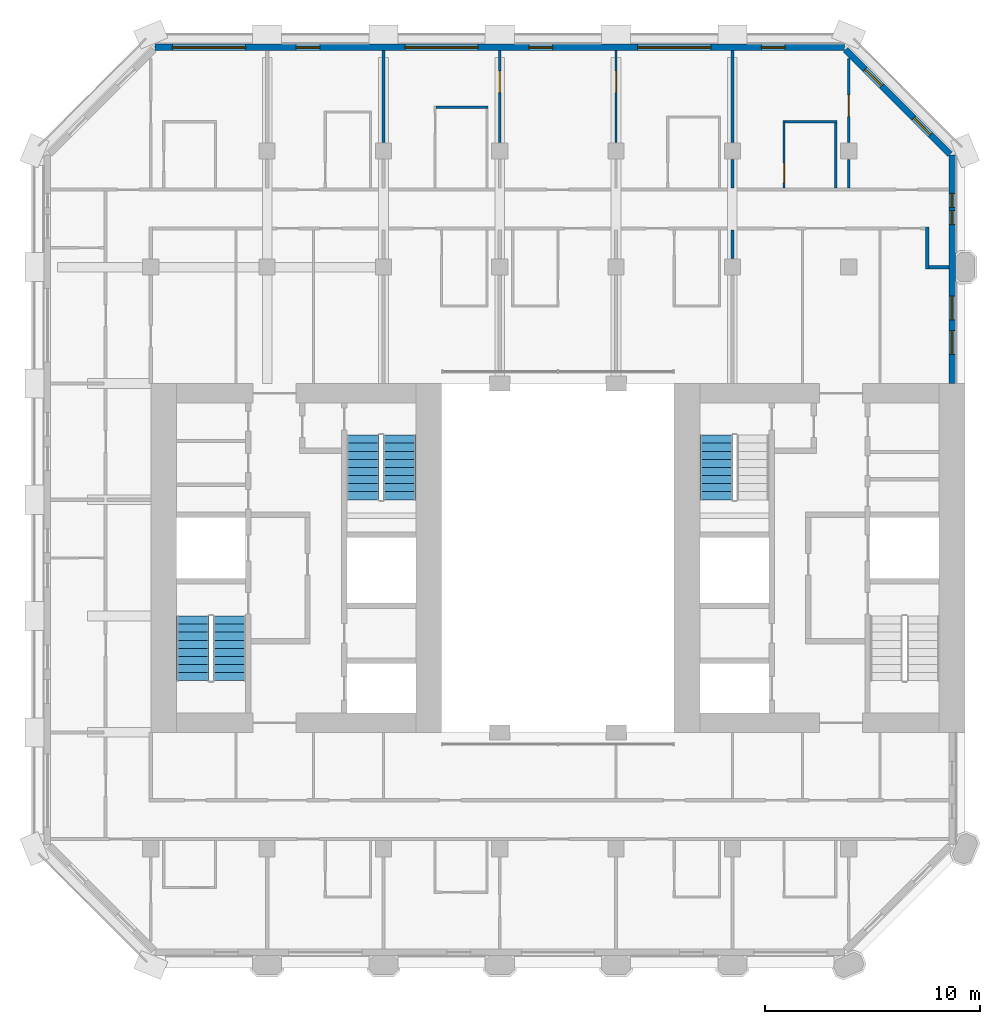
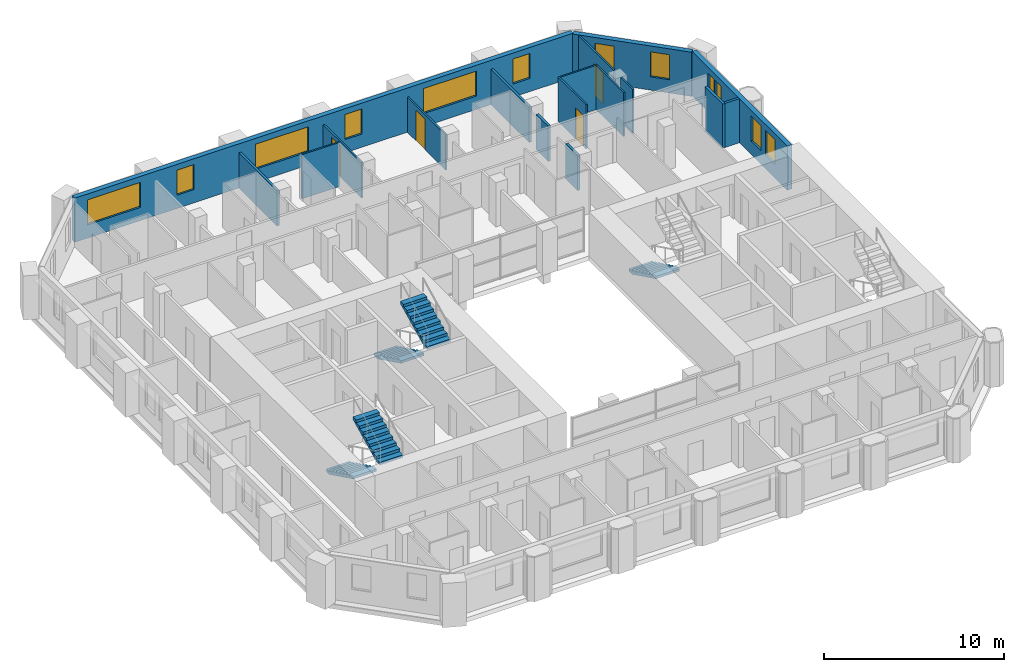
# One storey, part 11 of 14: 17 walls, 12 windows, 5 stair flights, 4 doors, 16 openings, 3 elements without a shape of their own.
"""IFC4 building model written with IfcOpenShell, lengths in metres."""

from ifc_helpers import new_model, si_unit, direction, frame, frame_2d, origin, place, context, subcontext, project, spatial, polyline, rectangle, outline, extrude, material, layer, layer_set, type_object, element, fill, aggregate, save


model = new_model("IFC4")

# Units and contexts
model_context = context("Model", 3, precision=1e-05, world=origin(), true_north=direction((0.0, 1.0)))
body_context = subcontext(model_context, "Body", "Model", "MODEL_VIEW")
ifc_project = project(units=[si_unit("LENGTHUNIT", "METRE"), si_unit("AREAUNIT", "SQUARE_METRE"), si_unit("VOLUMEUNIT", "CUBIC_METRE"), si_unit("PLANEANGLEUNIT", "RADIAN"), si_unit("MASSUNIT", "GRAM", prefix="KILO")], contexts=[model_context])

# Site, building, storey
site_placement = place(None, origin())
site = spatial("IfcSite", under=ifc_project, at=site_placement, CompositionType="ELEMENT")
building_placement = place(site_placement, origin())
building = spatial("IfcBuilding", under=site, at=building_placement, Name="Tabaq Tower and Sports Hall", CompositionType="ELEMENT")
storey_placement = place(building_placement, frame((0.0, 0.0, 217.0)))
storey = spatial("IfcBuildingStorey", under=building, at=storey_placement, Name="L54", CompositionType="ELEMENT", Elevation=217.0)

# Wall, opening, door
ifc_material_1 = material(Name="Gypsum board on steel studs", Category="steel")
ifc_layer_1 = layer(ifc_material_1, 0.10009765625)
ifc_layer_set_1 = layer_set([ifc_layer_1], Name="Partition 100 Gypsum board")
wall_type_1 = type_object("IfcWallType", Name="Partition 100 Gypsum board", PredefinedType="PARTITIONING", material=ifc_layer_set_1)
wall_1_placement = place(storey_placement, frame((34.800048828125, 41.47509765625, 0.0), z_axis=(0.0, 0.0, 1.0), x_axis=(0.0, 1.0, 0.0)))
wall_1 = element("IfcWall", 1, at=wall_1_placement, inside=storey, type_object=wall_type_1, Name="Partition wall L54", PredefinedType="PARTITIONING", context=body_context, shape_type="SweptSolid", body=[
    extrude(rectangle(XDim=3.125, YDim=0.10009765625, at=frame_2d((1.5625, 0.0))), origin(), (0.0, 0.0, 1.0), 3.0),
])
opening_1_placement = place(wall_1_placement, frame((0.25, 0.0, 0.0)))
opening_1 = element("IfcOpeningElement", 2, at=opening_1_placement, cuts=wall_1, Name="Opening L54-005", PredefinedType="OPENING", context=body_context, shape_type="SweptSolid", body=[
    extrude(rectangle(XDim=0.89990234375, YDim=2.10009765625, at=frame_2d((0.449951171875, 1.050048828125))), frame((0.0, 0.050048828125, 0.0), z_axis=(0.0, -1.0, 0.0), x_axis=(1.0, 0.0, 0.0)), (0.0, 0.0, 1.0), 0.10009765625),
])
ifc_material_2 = material(Name="Timber leaf in steel frame", Category="steel")
door_type_1 = type_object("IfcDoorType", Name="Internal door 900 right hand", OperationType="SINGLE_SWING_RIGHT", PredefinedType="DOOR", material=ifc_material_2)
door_1_placement = place(opening_1_placement, origin())
door_1 = element("IfcDoor", 3, at=door_1_placement, inside=storey, type_object=door_type_1, Name="Internal door L54-005", OperationType="SINGLE_SWING_RIGHT", OverallHeight=2.10009765625, OverallWidth=0.89990234375, PredefinedType="DOOR", context=body_context, shape_type="SweptSolid", body=[
    extrude(rectangle(XDim=0.89990234375, YDim=2.10009765625, at=frame_2d((0.449951171875, 1.050048828125))), frame((0.0, 0.02490234375, 0.0), z_axis=(0.0, -1.0, 0.0), x_axis=(1.0, 0.0, 0.0)), (0.0, 0.0, 1.0), 0.050048828125),
])
fill(opening_1, door_1)

# Walls
wall_2_placement = place(storey_placement, frame((34.85009765625, 44.550048828125, 0.0), z_axis=(0.0, 0.0, 1.0), x_axis=(1.0, 0.0, 0.0)))
element("IfcWall", 4, at=wall_2_placement, inside=storey, type_object=wall_type_1, Name="Partition wall L54", PredefinedType="PARTITIONING", context=body_context, shape_type="SweptSolid", body=[
    extrude(rectangle(XDim=2.39990234375, YDim=0.10009765625, at=frame_2d((1.199951171875, 0.0))), origin(), (0.0, 0.0, 1.0), 3.0),
])
wall_3_placement = place(storey_placement, frame((37.199951171875, 44.5, 0.0), z_axis=(0.0, 0.0, 1.0), x_axis=(0.0, -1.0, 0.0)))
element("IfcWall", 5, at=wall_3_placement, inside=storey, type_object=wall_type_1, Name="Partition wall L54", PredefinedType="PARTITIONING", context=body_context, shape_type="SweptSolid", body=[
    extrude(rectangle(XDim=3.02490234375, YDim=0.10009765625, at=frame_2d((1.512451171875, 0.0))), origin(), (0.0, 0.0, 1.0), 3.0),
])
wall_4_placement = place(storey_placement, frame((37.800048828125, 41.47509765625, 0.0), z_axis=(0.0, 0.0, 1.0), x_axis=(0.0, 1.0, 0.0)))
element("IfcWall", 6, at=wall_4_placement, inside=storey, type_object=wall_type_1, Name="Partition wall L54", PredefinedType="PARTITIONING", context=body_context, shape_type="SweptSolid", body=[
    extrude(rectangle(XDim=1.329833984375, YDim=0.10009765625, at=frame_2d((0.6650390625, 0.0))), origin(), (0.0, 0.0, 1.0), 3.0),
])

# Wall, opening, door
wall_5_placement = place(storey_placement, frame((37.800048828125, 43.594970703125, 0.0), z_axis=(0.0, 0.0, 1.0), x_axis=(0.0, 1.0, 0.0)))
wall_5 = element("IfcWall", 7, at=wall_5_placement, inside=storey, type_object=wall_type_1, Name="Partition wall L54", PredefinedType="PARTITIONING", context=body_context, shape_type="SweptSolid", body=[
    extrude(rectangle(XDim=3.892822265625, YDim=0.10009765625, at=frame_2d((1.9462890625, 0.0))), origin(), (0.0, 0.0, 1.0), 3.0),
])
opening_2_placement = place(wall_5_placement, frame((1.205078125, 0.0, 0.0)))
opening_2 = element("IfcOpeningElement", 8, at=opening_2_placement, cuts=wall_5, Name="Opening L54-032", PredefinedType="OPENING", context=body_context, shape_type="SweptSolid", body=[
    extrude(rectangle(XDim=1.0, YDim=2.10009765625, at=frame_2d((0.5, 1.050048828125))), frame((0.0, 0.050048828125, 0.0), z_axis=(0.0, -1.0, 0.0), x_axis=(1.0, 0.0, 0.0)), (0.0, 0.0, 1.0), 0.10009765625),
])
ifc_material_3 = material(Name="Timber leaf in steel frame", Category="steel")
door_type_2 = type_object("IfcDoorType", Name="Internal door 1000 right hand", OperationType="SINGLE_SWING_RIGHT", PredefinedType="DOOR", material=ifc_material_3)
door_2_placement = place(opening_2_placement, origin())
door_2 = element("IfcDoor", 9, at=door_2_placement, inside=storey, type_object=door_type_2, Name="Internal door L54-032", OperationType="SINGLE_SWING_RIGHT", OverallHeight=2.10009765625, OverallWidth=1.0, PredefinedType="DOOR", context=body_context, shape_type="SweptSolid", body=[
    extrude(rectangle(XDim=1.0, YDim=2.10009765625, at=frame_2d((0.5, 1.050048828125))), frame((0.0, 0.02490234375, 0.0), z_axis=(0.0, -1.0, 0.0), x_axis=(1.0, 0.0, 0.0)), (0.0, 0.0, 1.0), 0.050048828125),
])
fill(opening_2, door_2)

wall_6_placement = place(storey_placement, frame((27.0, 47.84912109375, 0.0), z_axis=(0.0, 0.0, 1.0), x_axis=(0.0, -1.0, 0.0)))
wall_6 = element("IfcWall", 10, at=wall_6_placement, inside=storey, type_object=wall_type_1, Name="Partition wall L54", PredefinedType="PARTITIONING", context=body_context, shape_type="SweptSolid", body=[
    extrude(rectangle(XDim=4.254150390625, YDim=0.10009765625, at=frame_2d((2.126953125, 0.0))), origin(), (0.0, 0.0, 1.0), 2.39990234375),
])
opening_3_placement = place(wall_6_placement, frame((0.948974609375, 0.0, 0.0)))
opening_3 = element("IfcOpeningElement", 11, at=opening_3_placement, cuts=wall_6, Name="Opening L54-034", PredefinedType="OPENING", context=body_context, shape_type="SweptSolid", body=[
    extrude(rectangle(XDim=1.0, YDim=2.10009765625, at=frame_2d((0.5, 1.050048828125))), frame((0.0, 0.050048828125, 0.0), z_axis=(0.0, -1.0, 0.0), x_axis=(1.0, 0.0, 0.0)), (0.0, 0.0, 1.0), 0.10009765625),
])
door_3_placement = place(opening_3_placement, origin())
door_3 = element("IfcDoor", 12, at=door_3_placement, inside=storey, type_object=door_type_2, Name="Internal door L54-034", OperationType="SINGLE_SWING_RIGHT", OverallHeight=2.10009765625, OverallWidth=1.0, PredefinedType="DOOR", context=body_context, shape_type="SweptSolid", body=[
    extrude(rectangle(XDim=1.0, YDim=2.10009765625, at=frame_2d((0.5, 1.050048828125))), frame((0.0, 0.02490234375, 0.0), z_axis=(0.0, -1.0, 0.0), x_axis=(1.0, 0.0, 0.0)), (0.0, 0.0, 1.0), 0.050048828125),
])
fill(opening_3, door_3)

# Wall
wall_7_placement = place(storey_placement, frame((18.64990234375, 45.22509765625, 0.0), z_axis=(0.0, 0.0, 1.0), x_axis=(1.0, 0.0, 0.0)))
element("IfcWall", 13, at=wall_7_placement, inside=storey, type_object=wall_type_1, Name="Partition wall L54", PredefinedType="PARTITIONING", context=body_context, shape_type="SweptSolid", body=[
    extrude(rectangle(XDim=2.400146484375, YDim=0.10009765625, at=frame_2d((1.2001953125, 0.0))), origin(), (0.0, 0.0, 1.0), 3.0),
])

# Wall, opening, door
wall_8_placement = place(storey_placement, frame((21.60009765625, 43.594970703125, 0.0), z_axis=(0.0, 0.0, 1.0), x_axis=(0.0, 1.0, 0.0)))
wall_8 = element("IfcWall", 14, at=wall_8_placement, inside=storey, type_object=wall_type_1, Name="Partition wall L54", PredefinedType="PARTITIONING", context=body_context, shape_type="SweptSolid", body=[
    extrude(rectangle(XDim=4.254150390625, YDim=0.10009765625, at=frame_2d((2.126953125, 0.0))), origin(), (0.0, 0.0, 1.0), 2.39990234375),
])
opening_4_placement = place(wall_8_placement, frame((2.304931640625, 0.0, 0.0)))
opening_4 = element("IfcOpeningElement", 15, at=opening_4_placement, cuts=wall_8, Name="Opening L54-035", PredefinedType="OPENING", context=body_context, shape_type="SweptSolid", body=[
    extrude(rectangle(XDim=1.0, YDim=2.10009765625, at=frame_2d((0.5, 1.050048828125))), frame((0.0, 0.050048828125, 0.0), z_axis=(0.0, -1.0, 0.0), x_axis=(1.0, 0.0, 0.0)), (0.0, 0.0, 1.0), 0.10009765625),
])
door_4_placement = place(opening_4_placement, origin())
door_4 = element("IfcDoor", 16, at=door_4_placement, inside=storey, type_object=door_type_2, Name="Internal door L54-035", OperationType="SINGLE_SWING_RIGHT", OverallHeight=2.10009765625, OverallWidth=1.0, PredefinedType="DOOR", context=body_context, shape_type="SweptSolid", body=[
    extrude(rectangle(XDim=1.0, YDim=2.10009765625, at=frame_2d((0.5, 1.050048828125))), frame((0.0, 0.02490234375, 0.0), z_axis=(0.0, -1.0, 0.0), x_axis=(1.0, 0.0, 0.0)), (0.0, 0.0, 1.0), 0.050048828125),
])
fill(opening_4, door_4)

# Walls
ifc_material_4 = material(Name="Blockwork", Category="masonry")
ifc_layer_2 = layer(ifc_material_4, 0.14990234375)
ifc_layer_set_2 = layer_set([ifc_layer_2], Name="Separating wall 150 Blockwork")
wall_type_2 = type_object("IfcWallType", Name="Separating wall 150 Blockwork", PredefinedType="PARTITIONING", material=ifc_layer_set_2)
wall_9_placement = place(storey_placement, frame((32.39990234375, 38.195068359375, 0.0), z_axis=(0.0, 0.0, 1.0), x_axis=(0.0, 1.0, 0.0)))
element("IfcWall", 17, at=wall_9_placement, inside=storey, type_object=wall_type_2, Name="Separating wall L54", PredefinedType="PARTITIONING", context=body_context, shape_type="SweptSolid", body=[
    extrude(rectangle(XDim=1.329833984375, YDim=0.14990234375, at=frame_2d((0.6650390625, 0.0))), origin(), (0.0, 0.0, 1.0), 2.39990234375),
])
wall_10_placement = place(storey_placement, frame((32.39990234375, 47.84912109375, 0.0), z_axis=(0.0, 0.0, 1.0), x_axis=(0.0, -1.0, 0.0)))
element("IfcWall", 18, at=wall_10_placement, inside=storey, type_object=wall_type_2, Name="Separating wall L54", PredefinedType="PARTITIONING", context=body_context, shape_type="SweptSolid", body=[
    extrude(rectangle(XDim=4.254150390625, YDim=0.14990234375, at=frame_2d((2.126953125, 0.0))), origin(), (0.0, 0.0, 1.0), 2.39990234375),
])
wall_11_placement = place(storey_placement, frame((32.39990234375, 42.804931640625, 0.0), z_axis=(0.0, 0.0, 1.0), x_axis=(0.0, -1.0, 0.0)))
element("IfcWall", 19, at=wall_11_placement, inside=storey, type_object=wall_type_2, Name="Separating wall L54", PredefinedType="PARTITIONING", context=body_context, shape_type="SweptSolid", body=[
    extrude(rectangle(XDim=1.329833984375, YDim=0.14990234375, at=frame_2d((0.6650390625, 0.0))), origin(), (0.0, 0.0, 1.0), 2.39990234375),
])
wall_12_placement = place(storey_placement, frame((16.199951171875, 47.84912109375, 0.0), z_axis=(0.0, 0.0, 1.0), x_axis=(0.0, -1.0, 0.0)))
element("IfcWall", 20, at=wall_12_placement, inside=storey, type_object=wall_type_2, Name="Separating wall L54", PredefinedType="PARTITIONING", context=body_context, shape_type="SweptSolid", body=[
    extrude(rectangle(XDim=4.254150390625, YDim=0.14990234375, at=frame_2d((2.126953125, 0.0))), origin(), (0.0, 0.0, 1.0), 2.39990234375),
])
wall_13_placement = place(storey_placement, frame((41.448974609375, 39.675048828125, 0.0), z_axis=(0.0, 0.0, 1.0), x_axis=(0.00050081376, -0.999999874593, 0.0)))
element("IfcWall", 21, at=wall_13_placement, inside=storey, type_object=wall_type_2, Name="Separating wall L54", PredefinedType="PARTITIONING", context=body_context, shape_type="SweptSolid", body=[
    extrude(rectangle(XDim=1.949951171875, YDim=0.14990234375, at=frame_2d((0.97509765625, 0.0))), origin(), (0.0, 0.0, 1.0), 3.0),
])
wall_14_placement = place(storey_placement, frame((41.52490234375, 37.800048828125, 0.0), z_axis=(0.0, 0.0, 1.0), x_axis=(1.0, 0.0, 0.0)))
element("IfcWall", 22, at=wall_14_placement, inside=storey, type_object=wall_type_2, Name="Separating wall L54", PredefinedType="PARTITIONING", context=body_context, shape_type="SweptSolid", body=[
    extrude(rectangle(XDim=0.925048828125, YDim=0.14990234375, at=frame_2d((0.46240234375, 0.0))), origin(), (0.0, 0.0, 1.0), 3.0),
])

# Wall, openings, windows
ifc_material_5 = material(Name="White precast concrete C60/75", Category="concrete")
ifc_layer_3 = layer(ifc_material_5, 0.300048828125)
ifc_layer_set_3 = layer_set([ifc_layer_3], Name="White precast concrete C60/75 external wall 300")
wall_type_3 = type_object("IfcWallType", Name="White precast concrete C60/75 external wall 300", PredefinedType="SOLIDWALL", material=ifc_layer_set_3)
wall_15_placement = place(storey_placement, frame((42.60009765625, 32.39990234375, 0.0), z_axis=(0.0, 0.0, 1.0), x_axis=(0.0, 1.0, 0.0)))
wall_15 = element("IfcWall", 23, at=wall_15_placement, inside=storey, type_object=wall_type_3, Name="External Wall L54 E", PredefinedType="SOLIDWALL", context=body_context, shape_type="SweptSolid", body=[
    extrude(rectangle(XDim=10.61376953125, YDim=0.300048828125, at=frame_2d((5.306884765625, 0.0))), origin(), (0.0, 0.0, 1.0), 3.0),
])
opening_5_placement = place(wall_15_placement, frame((1.35009765625, 0.0, 0.89990234375)))
opening_5 = element("IfcOpeningElement", 24, at=opening_5_placement, cuts=wall_15, Name="Opening W1B", PredefinedType="OPENING", context=body_context, shape_type="SweptSolid", body=[
    extrude(rectangle(XDim=1.10009765625, YDim=1.699951171875, at=frame_2d((0.550048828125, 0.85009765625))), frame((0.0, 0.16015625, 0.0), z_axis=(0.0, -1.0, 0.0), x_axis=(1.0, 0.0, 0.0)), (0.0, 0.0, 1.0), 0.320068359375),
])
opening_6_placement = place(wall_15_placement, frame((2.949951171875, 0.0, 0.89990234375)))
opening_6 = element("IfcOpeningElement", 25, at=opening_6_placement, cuts=wall_15, Name="Opening W1B", PredefinedType="OPENING", context=body_context, shape_type="SweptSolid", body=[
    extrude(rectangle(XDim=1.10009765625, YDim=1.699951171875, at=frame_2d((0.550048828125, 0.85009765625))), frame((0.0, 0.16015625, 0.0), z_axis=(0.0, -1.0, 0.0), x_axis=(1.0, 0.0, 0.0)), (0.0, 0.0, 1.0), 0.320068359375),
])
opening_7_placement = place(wall_15_placement, frame((7.375, 0.0, 0.89990234375)))
opening_7 = element("IfcOpeningElement", 26, at=opening_7_placement, cuts=wall_15, Name="Opening W1C", PredefinedType="OPENING", context=body_context, shape_type="SweptSolid", body=[
    extrude(rectangle(XDim=0.64990234375, YDim=1.699951171875, at=frame_2d((0.324951171875, 0.85009765625))), frame((0.0, 0.16015625, 0.0), z_axis=(0.0, -1.0, 0.0), x_axis=(1.0, 0.0, 0.0)), (0.0, 0.0, 1.0), 0.320068359375),
])
opening_8_placement = place(wall_15_placement, frame((8.175048828125, 0.0, 0.89990234375)))
opening_8 = element("IfcOpeningElement", 27, at=opening_8_placement, cuts=wall_15, Name="Opening W1C", PredefinedType="OPENING", context=body_context, shape_type="SweptSolid", body=[
    extrude(rectangle(XDim=0.64990234375, YDim=1.699951171875, at=frame_2d((0.324951171875, 0.85009765625))), frame((0.0, 0.16015625, 0.0), z_axis=(0.0, -1.0, 0.0), x_axis=(1.0, 0.0, 0.0)), (0.0, 0.0, 1.0), 0.320068359375),
])
ifc_material_6 = material(Name="Aluminium framed clear glazing", Category="aluminium")
window_type_1 = type_object("IfcWindowType", Name="Window W1B", PartitioningType="SINGLE_PANEL", PredefinedType="WINDOW", material=ifc_material_6)
window_1_placement = place(opening_5_placement, origin())
window_1 = element("IfcWindow", 28, at=window_1_placement, inside=storey, type_object=window_type_1, Name="Window W1B L54", OverallHeight=1.699951171875, OverallWidth=1.10009765625, PartitioningType="SINGLE_PANEL", PredefinedType="WINDOW", context=body_context, shape_type="SweptSolid", body=[
    extrude(rectangle(XDim=1.10009765625, YDim=1.699951171875, at=frame_2d((0.550048828125, 0.85009765625))), frame((0.0, 0.030029296875, 0.0), z_axis=(0.0, -1.0, 0.0), x_axis=(1.0, 0.0, 0.0)), (0.0, 0.0, 1.0), 0.06005859375),
])
fill(opening_5, window_1)
window_2_placement = place(opening_6_placement, origin())
window_2 = element("IfcWindow", 29, at=window_2_placement, inside=storey, type_object=window_type_1, Name="Window W1B L54", OverallHeight=1.699951171875, OverallWidth=1.10009765625, PartitioningType="SINGLE_PANEL", PredefinedType="WINDOW", context=body_context, shape_type="SweptSolid", body=[
    extrude(rectangle(XDim=1.10009765625, YDim=1.699951171875, at=frame_2d((0.550048828125, 0.85009765625))), frame((0.0, 0.030029296875, 0.0), z_axis=(0.0, -1.0, 0.0), x_axis=(1.0, 0.0, 0.0)), (0.0, 0.0, 1.0), 0.06005859375),
])
fill(opening_6, window_2)
ifc_material_7 = material(Name="Aluminium framed clear glazing", Category="aluminium")
window_type_2 = type_object("IfcWindowType", Name="Window W1C", PartitioningType="SINGLE_PANEL", PredefinedType="WINDOW", material=ifc_material_7)
window_3_placement = place(opening_7_placement, origin())
window_3 = element("IfcWindow", 30, at=window_3_placement, inside=storey, type_object=window_type_2, Name="Window W1C L54", OverallHeight=1.699951171875, OverallWidth=0.64990234375, PartitioningType="SINGLE_PANEL", PredefinedType="WINDOW", context=body_context, shape_type="SweptSolid", body=[
    extrude(rectangle(XDim=0.64990234375, YDim=1.699951171875, at=frame_2d((0.324951171875, 0.85009765625))), frame((0.0, 0.030029296875, 0.0), z_axis=(0.0, -1.0, 0.0), x_axis=(1.0, 0.0, 0.0)), (0.0, 0.0, 1.0), 0.06005859375),
])
fill(opening_7, window_3)
window_4_placement = place(opening_8_placement, origin())
window_4 = element("IfcWindow", 31, at=window_4_placement, inside=storey, type_object=window_type_2, Name="Window W1C L54", OverallHeight=1.699951171875, OverallWidth=0.64990234375, PartitioningType="SINGLE_PANEL", PredefinedType="WINDOW", context=body_context, shape_type="SweptSolid", body=[
    extrude(rectangle(XDim=0.64990234375, YDim=1.699951171875, at=frame_2d((0.324951171875, 0.85009765625))), frame((0.0, 0.030029296875, 0.0), z_axis=(0.0, -1.0, 0.0), x_axis=(1.0, 0.0, 0.0)), (0.0, 0.0, 1.0), 0.06005859375),
])
fill(opening_8, window_4)

wall_16_placement = place(storey_placement, frame((42.5009765625, 43.050537109375, 0.0), z_axis=(0.0, 0.0, 1.0), x_axis=(-0.707106781187, 0.707106781187, 0.0)))
wall_16 = element("IfcWall", 32, at=wall_16_placement, inside=storey, type_object=wall_type_3, Name="External Wall L54 NE", PredefinedType="SOLIDWALL", context=body_context, shape_type="SweptSolid", body=[
    extrude(rectangle(XDim=6.85986328125, YDim=0.300048828125, at=frame_2d((3.429931640625, 0.0))), origin(), (0.0, 0.0, 1.0), 3.0),
])
opening_9_placement = place(wall_16_placement, frame((1.27978515625, 0.0, 0.89990234375)))
opening_9 = element("IfcOpeningElement", 33, at=opening_9_placement, cuts=wall_16, Name="Opening W1B", PredefinedType="OPENING", context=body_context, shape_type="SweptSolid", body=[
    extrude(rectangle(XDim=1.10009765625, YDim=1.699951171875, at=frame_2d((0.550048828125, 0.85009765625))), frame((0.0, 0.16015625, 0.0), z_axis=(0.0, -1.0, 0.0), x_axis=(1.0, 0.0, 0.0)), (0.0, 0.0, 1.0), 0.320068359375),
])
opening_10_placement = place(wall_16_placement, frame((4.479736328125, 0.0, 0.89990234375)))
opening_10 = element("IfcOpeningElement", 34, at=opening_10_placement, cuts=wall_16, Name="Opening W1B", PredefinedType="OPENING", context=body_context, shape_type="SweptSolid", body=[
    extrude(rectangle(XDim=1.10009765625, YDim=1.699951171875, at=frame_2d((0.550048828125, 0.85009765625))), frame((0.0, 0.16015625, 0.0), z_axis=(0.0, -1.0, 0.0), x_axis=(1.0, 0.0, 0.0)), (0.0, 0.0, 1.0), 0.320068359375),
])
window_5_placement = place(opening_9_placement, origin())
window_5 = element("IfcWindow", 35, at=window_5_placement, inside=storey, type_object=window_type_1, Name="Window W1B L54", OverallHeight=1.699951171875, OverallWidth=1.10009765625, PartitioningType="SINGLE_PANEL", PredefinedType="WINDOW", context=body_context, shape_type="SweptSolid", body=[
    extrude(rectangle(XDim=1.10009765625, YDim=1.699951171875, at=frame_2d((0.550048828125, 0.85009765625))), frame((0.0, 0.030029296875, 0.0), z_axis=(0.0, -1.0, 0.0), x_axis=(1.0, 0.0, 0.0)), (0.0, 0.0, 1.0), 0.06005859375),
])
fill(opening_9, window_5)
window_6_placement = place(opening_10_placement, origin())
window_6 = element("IfcWindow", 36, at=window_6_placement, inside=storey, type_object=window_type_1, Name="Window W1B L54", OverallHeight=1.699951171875, OverallWidth=1.10009765625, PartitioningType="SINGLE_PANEL", PredefinedType="WINDOW", context=body_context, shape_type="SweptSolid", body=[
    extrude(rectangle(XDim=1.10009765625, YDim=1.699951171875, at=frame_2d((0.550048828125, 0.85009765625))), frame((0.0, 0.030029296875, 0.0), z_axis=(0.0, -1.0, 0.0), x_axis=(1.0, 0.0, 0.0)), (0.0, 0.0, 1.0), 0.06005859375),
])
fill(opening_10, window_6)

wall_17_placement = place(storey_placement, frame((37.613525390625, 48.0, 0.0), z_axis=(0.0, 0.0, 1.0), x_axis=(-1.0, 0.0, 0.0)))
wall_17 = element("IfcWall", 37, at=wall_17_placement, inside=storey, type_object=wall_type_3, Name="External Wall L54 N", PredefinedType="SOLIDWALL", context=body_context, shape_type="SweptSolid", body=[
    extrude(rectangle(XDim=32.027099609375, YDim=0.300048828125, at=frame_2d((16.013671875, 0.0))), origin(), (0.0, 0.0, 1.0), 3.0),
])
opening_11_placement = place(wall_17_placement, frame((2.763671875, 0.0, 0.89990234375)))
opening_11 = element("IfcOpeningElement", 38, at=opening_11_placement, cuts=wall_17, Name="Opening W1B", PredefinedType="OPENING", context=body_context, shape_type="SweptSolid", body=[
    extrude(rectangle(XDim=1.10009765625, YDim=1.699951171875, at=frame_2d((0.550048828125, 0.85009765625))), frame((0.0, 0.16015625, 0.0), z_axis=(0.0, -1.0, 0.0), x_axis=(1.0, 0.0, 0.0)), (0.0, 0.0, 1.0), 0.320068359375),
])
opening_12_placement = place(wall_17_placement, frame((6.213623046875, 0.0, 0.89990234375)))
opening_12 = element("IfcOpeningElement", 39, at=opening_12_placement, cuts=wall_17, Name="Opening W1A", PredefinedType="OPENING", context=body_context, shape_type="SweptSolid", body=[
    extrude(rectangle(XDim=3.39990234375, YDim=1.699951171875, at=frame_2d((1.699951171875, 0.85009765625))), frame((0.0, 0.16015625, 0.0), z_axis=(0.0, -1.0, 0.0), x_axis=(1.0, 0.0, 0.0)), (0.0, 0.0, 1.0), 0.320068359375),
])
opening_13_placement = place(wall_17_placement, frame((13.563720703125, 0.0, 0.89990234375)))
opening_13 = element("IfcOpeningElement", 40, at=opening_13_placement, cuts=wall_17, Name="Opening W1B", PredefinedType="OPENING", context=body_context, shape_type="SweptSolid", body=[
    extrude(rectangle(XDim=1.10009765625, YDim=1.699951171875, at=frame_2d((0.550048828125, 0.85009765625))), frame((0.0, 0.16015625, 0.0), z_axis=(0.0, -1.0, 0.0), x_axis=(1.0, 0.0, 0.0)), (0.0, 0.0, 1.0), 0.320068359375),
])
opening_14_placement = place(wall_17_placement, frame((17.013671875, 0.0, 0.89990234375)))
opening_14 = element("IfcOpeningElement", 41, at=opening_14_placement, cuts=wall_17, Name="Opening W1A", PredefinedType="OPENING", context=body_context, shape_type="SweptSolid", body=[
    extrude(rectangle(XDim=3.39990234375, YDim=1.699951171875, at=frame_2d((1.699951171875, 0.85009765625))), frame((0.0, 0.16015625, 0.0), z_axis=(0.0, -1.0, 0.0), x_axis=(1.0, 0.0, 0.0)), (0.0, 0.0, 1.0), 0.320068359375),
])
opening_15_placement = place(wall_17_placement, frame((24.363525390625, 0.0, 0.89990234375)))
opening_15 = element("IfcOpeningElement", 42, at=opening_15_placement, cuts=wall_17, Name="Opening W1B", PredefinedType="OPENING", context=body_context, shape_type="SweptSolid", body=[
    extrude(rectangle(XDim=1.10009765625, YDim=1.699951171875, at=frame_2d((0.550048828125, 0.85009765625))), frame((0.0, 0.16015625, 0.0), z_axis=(0.0, -1.0, 0.0), x_axis=(1.0, 0.0, 0.0)), (0.0, 0.0, 1.0), 0.320068359375),
])
opening_16_placement = place(wall_17_placement, frame((27.813720703125, 0.0, 0.89990234375)))
opening_16 = element("IfcOpeningElement", 43, at=opening_16_placement, cuts=wall_17, Name="Opening W1A", PredefinedType="OPENING", context=body_context, shape_type="SweptSolid", body=[
    extrude(rectangle(XDim=3.39990234375, YDim=1.699951171875, at=frame_2d((1.699951171875, 0.85009765625))), frame((0.0, 0.16015625, 0.0), z_axis=(0.0, -1.0, 0.0), x_axis=(1.0, 0.0, 0.0)), (0.0, 0.0, 1.0), 0.320068359375),
])
ifc_material_8 = material(Name="Aluminium framed clear glazing", Category="aluminium")
window_type_3 = type_object("IfcWindowType", Name="Window W1A", PartitioningType="SINGLE_PANEL", PredefinedType="WINDOW", material=ifc_material_8)
window_7_placement = place(opening_12_placement, origin())
window_7 = element("IfcWindow", 44, at=window_7_placement, inside=storey, type_object=window_type_3, Name="Window W1A L54", OverallHeight=1.699951171875, OverallWidth=3.39990234375, PartitioningType="SINGLE_PANEL", PredefinedType="WINDOW", context=body_context, shape_type="SweptSolid", body=[
    extrude(rectangle(XDim=3.39990234375, YDim=1.699951171875, at=frame_2d((1.699951171875, 0.85009765625))), frame((0.0, 0.030029296875, 0.0), z_axis=(0.0, -1.0, 0.0), x_axis=(1.0, 0.0, 0.0)), (0.0, 0.0, 1.0), 0.06005859375),
])
fill(opening_12, window_7)
window_8_placement = place(opening_14_placement, origin())
window_8 = element("IfcWindow", 45, at=window_8_placement, inside=storey, type_object=window_type_3, Name="Window W1A L54", OverallHeight=1.699951171875, OverallWidth=3.39990234375, PartitioningType="SINGLE_PANEL", PredefinedType="WINDOW", context=body_context, shape_type="SweptSolid", body=[
    extrude(rectangle(XDim=3.39990234375, YDim=1.699951171875, at=frame_2d((1.699951171875, 0.85009765625))), frame((0.0, 0.030029296875, 0.0), z_axis=(0.0, -1.0, 0.0), x_axis=(1.0, 0.0, 0.0)), (0.0, 0.0, 1.0), 0.06005859375),
])
fill(opening_14, window_8)
window_9_placement = place(opening_16_placement, origin())
window_9 = element("IfcWindow", 46, at=window_9_placement, inside=storey, type_object=window_type_3, Name="Window W1A L54", OverallHeight=1.699951171875, OverallWidth=3.39990234375, PartitioningType="SINGLE_PANEL", PredefinedType="WINDOW", context=body_context, shape_type="SweptSolid", body=[
    extrude(rectangle(XDim=3.39990234375, YDim=1.699951171875, at=frame_2d((1.699951171875, 0.85009765625))), frame((0.0, 0.030029296875, 0.0), z_axis=(0.0, -1.0, 0.0), x_axis=(1.0, 0.0, 0.0)), (0.0, 0.0, 1.0), 0.06005859375),
])
fill(opening_16, window_9)
window_10_placement = place(opening_11_placement, origin())
window_10 = element("IfcWindow", 47, at=window_10_placement, inside=storey, type_object=window_type_1, Name="Window W1B L54", OverallHeight=1.699951171875, OverallWidth=1.10009765625, PartitioningType="SINGLE_PANEL", PredefinedType="WINDOW", context=body_context, shape_type="SweptSolid", body=[
    extrude(rectangle(XDim=1.10009765625, YDim=1.699951171875, at=frame_2d((0.550048828125, 0.85009765625))), frame((0.0, 0.030029296875, 0.0), z_axis=(0.0, -1.0, 0.0), x_axis=(1.0, 0.0, 0.0)), (0.0, 0.0, 1.0), 0.06005859375),
])
fill(opening_11, window_10)
window_11_placement = place(opening_13_placement, origin())
window_11 = element("IfcWindow", 48, at=window_11_placement, inside=storey, type_object=window_type_1, Name="Window W1B L54", OverallHeight=1.699951171875, OverallWidth=1.10009765625, PartitioningType="SINGLE_PANEL", PredefinedType="WINDOW", context=body_context, shape_type="SweptSolid", body=[
    extrude(rectangle(XDim=1.10009765625, YDim=1.699951171875, at=frame_2d((0.550048828125, 0.85009765625))), frame((0.0, 0.030029296875, 0.0), z_axis=(0.0, -1.0, 0.0), x_axis=(1.0, 0.0, 0.0)), (0.0, 0.0, 1.0), 0.06005859375),
])
fill(opening_13, window_11)
window_12_placement = place(opening_15_placement, origin())
window_12 = element("IfcWindow", 49, at=window_12_placement, inside=storey, type_object=window_type_1, Name="Window W1B L54", OverallHeight=1.699951171875, OverallWidth=1.10009765625, PartitioningType="SINGLE_PANEL", PredefinedType="WINDOW", context=body_context, shape_type="SweptSolid", body=[
    extrude(rectangle(XDim=1.10009765625, YDim=1.699951171875, at=frame_2d((0.550048828125, 0.85009765625))), frame((0.0, 0.030029296875, 0.0), z_axis=(0.0, -1.0, 0.0), x_axis=(1.0, 0.0, 0.0)), (0.0, 0.0, 1.0), 0.06005859375),
])
fill(opening_15, window_12)

# Stair, stair flights
ifc_material_9 = material(Name="Concrete C40/50", Category="concrete")
stair_type = type_object("IfcStairType", Name="Exit stair", PredefinedType="HALF_TURN_STAIR", material=ifc_material_9)
stair_1_placement = place(storey_placement, origin())
stair_1 = element("IfcStair", 50, at=stair_1_placement, inside=storey, type_object=stair_type, Name="L54 Exit stair ST1", PredefinedType="HALF_TURN_STAIR")
ifc_material_10 = material(Name="Concrete C40/50", Category="concrete")
stair_flight_type = type_object("IfcStairFlightType", Name="Exit stair flight", PredefinedType="STRAIGHT", material=ifc_material_10)
stair_flight_1_placement = place(storey_placement, frame((7.35009765625, 21.60009765625, 0.0), z_axis=(0.0, 0.0, 1.0), x_axis=(0.0, -1.0, 0.0)))
stair_flight_1 = element("IfcStairFlight", 51, at=stair_flight_1_placement, type_object=stair_flight_type, Name="ST1 flight 1", NumberOfRisers=9, NumberOfTreads=8, PredefinedType="STRAIGHT", RiserHeight=0.183333333, TreadLength=0.375, context=body_context, shape_type="SweptSolid", body=[
    extrude(outline(polyline([(0.0, 0.0), (0.0, 0.183349609375), (0.375, 0.183349609375), (0.375, 0.36669921875), (0.75, 0.36669921875), (0.75, 0.550048828125), (1.125, 0.550048828125), (1.125, 0.7333984375), (1.5, 0.7333984375), (1.5, 0.916748046875), (1.875, 0.916748046875), (1.875, 1.10009765625), (2.25, 1.10009765625), (2.25, 1.283447265625), (2.625, 1.283447265625), (2.625, 1.466552734375), (3.0, 1.466552734375), (3.0, 1.64990234375), (3.0, 1.2998046875), (0.34130859375, 0.0), (0.0, 0.0)])), frame((0.0, 0.75, 0.0), z_axis=(0.0, -1.0, 0.0), x_axis=(1.0, 0.0, 0.0)), (0.0, 0.0, 1.0), 1.5),
])
stair_flight_2_placement = place(storey_placement, frame((9.050048828125, 18.60009765625, 1.64990234375), z_axis=(0.0, 0.0, 1.0), x_axis=(0.0, 1.0, 0.0)))
stair_flight_2 = element("IfcStairFlight", 52, at=stair_flight_2_placement, type_object=stair_flight_type, Name="ST1 flight 2", NumberOfRisers=9, NumberOfTreads=8, PredefinedType="STRAIGHT", RiserHeight=0.183333333, TreadLength=0.375, context=body_context, shape_type="SweptSolid", body=[
    extrude(outline(polyline([(0.0, 0.0), (0.0, 0.183349609375), (0.375, 0.183349609375), (0.375, 0.36669921875), (0.75, 0.36669921875), (0.75, 0.550048828125), (1.125, 0.550048828125), (1.125, 0.7333984375), (1.5, 0.7333984375), (1.5, 0.916748046875), (1.875, 0.916748046875), (1.875, 1.10009765625), (2.25, 1.10009765625), (2.25, 1.283447265625), (2.625, 1.283447265625), (2.625, 1.466552734375), (3.0, 1.466552734375), (3.0, 1.64990234375), (3.0, 1.2998046875), (0.34130859375, 0.0), (0.0, 0.0)])), frame((0.0, 0.75, 0.0), z_axis=(0.0, -1.0, 0.0), x_axis=(1.0, 0.0, 0.0)), (0.0, 0.0, 1.0), 1.5),
])
aggregate(stair_1, [stair_flight_1, stair_flight_2])

stair_2_placement = place(storey_placement, origin())
stair_2 = element("IfcStair", 53, at=stair_2_placement, inside=storey, type_object=stair_type, Name="L54 Exit stair ST2", PredefinedType="HALF_TURN_STAIR")
stair_flight_3_placement = place(storey_placement, frame((15.25, 30.0, 0.0), z_axis=(0.0, 0.0, 1.0), x_axis=(0.0, -1.0, 0.0)))
stair_flight_3 = element("IfcStairFlight", 54, at=stair_flight_3_placement, type_object=stair_flight_type, Name="ST2 flight 1", NumberOfRisers=9, NumberOfTreads=8, PredefinedType="STRAIGHT", RiserHeight=0.183333333, TreadLength=0.375, context=body_context, shape_type="SweptSolid", body=[
    extrude(outline(polyline([(0.0, 0.0), (0.0, 0.183349609375), (0.375, 0.183349609375), (0.375, 0.36669921875), (0.75, 0.36669921875), (0.75, 0.550048828125), (1.125, 0.550048828125), (1.125, 0.7333984375), (1.5, 0.7333984375), (1.5, 0.916748046875), (1.875, 0.916748046875), (1.875, 1.10009765625), (2.25, 1.10009765625), (2.25, 1.283447265625), (2.625, 1.283447265625), (2.625, 1.466552734375), (3.0, 1.466552734375), (3.0, 1.64990234375), (3.0, 1.2998046875), (0.34130859375, 0.0), (0.0, 0.0)])), frame((0.0, 0.75, 0.0), z_axis=(0.0, -1.0, 0.0), x_axis=(1.0, 0.0, 0.0)), (0.0, 0.0, 1.0), 1.5),
])
stair_flight_4_placement = place(storey_placement, frame((16.949951171875, 27.0, 1.64990234375), z_axis=(0.0, 0.0, 1.0), x_axis=(0.0, 1.0, 0.0)))
stair_flight_4 = element("IfcStairFlight", 55, at=stair_flight_4_placement, type_object=stair_flight_type, Name="ST2 flight 2", NumberOfRisers=9, NumberOfTreads=8, PredefinedType="STRAIGHT", RiserHeight=0.183333333, TreadLength=0.375, context=body_context, shape_type="SweptSolid", body=[
    extrude(outline(polyline([(0.0, 0.0), (0.0, 0.183349609375), (0.375, 0.183349609375), (0.375, 0.36669921875), (0.75, 0.36669921875), (0.75, 0.550048828125), (1.125, 0.550048828125), (1.125, 0.7333984375), (1.5, 0.7333984375), (1.5, 0.916748046875), (1.875, 0.916748046875), (1.875, 1.10009765625), (2.25, 1.10009765625), (2.25, 1.283447265625), (2.625, 1.283447265625), (2.625, 1.466552734375), (3.0, 1.466552734375), (3.0, 1.64990234375), (3.0, 1.2998046875), (0.34130859375, 0.0), (0.0, 0.0)])), frame((0.0, 0.75, 0.0), z_axis=(0.0, -1.0, 0.0), x_axis=(1.0, 0.0, 0.0)), (0.0, 0.0, 1.0), 1.5),
])
aggregate(stair_2, [stair_flight_3, stair_flight_4])

# Stair, stair flight
stair_3_placement = place(storey_placement, origin())
stair_3 = element("IfcStair", 56, at=stair_3_placement, inside=storey, type_object=stair_type, Name="L54 Exit stair ST4", PredefinedType="HALF_TURN_STAIR")
stair_flight_5_placement = place(storey_placement, frame((31.64990234375, 30.0, 0.0), z_axis=(0.0, 0.0, 1.0), x_axis=(0.0, -1.0, 0.0)))
stair_flight_5 = element("IfcStairFlight", 57, at=stair_flight_5_placement, type_object=stair_flight_type, Name="ST4 flight 1", NumberOfRisers=9, NumberOfTreads=8, PredefinedType="STRAIGHT", RiserHeight=0.183333333, TreadLength=0.375, context=body_context, shape_type="SweptSolid", body=[
    extrude(outline(polyline([(0.0, 0.0), (0.0, 0.183349609375), (0.375, 0.183349609375), (0.375, 0.36669921875), (0.75, 0.36669921875), (0.75, 0.550048828125), (1.125, 0.550048828125), (1.125, 0.7333984375), (1.5, 0.7333984375), (1.5, 0.916748046875), (1.875, 0.916748046875), (1.875, 1.10009765625), (2.25, 1.10009765625), (2.25, 1.283447265625), (2.625, 1.283447265625), (2.625, 1.466552734375), (3.0, 1.466552734375), (3.0, 1.64990234375), (3.0, 1.2998046875), (0.34130859375, 0.0), (0.0, 0.0)])), frame((0.0, 0.75, 0.0), z_axis=(0.0, -1.0, 0.0), x_axis=(1.0, 0.0, 0.0)), (0.0, 0.0, 1.0), 1.5),
])
aggregate(stair_3, [stair_flight_5])

save(model, "model.ifc")
